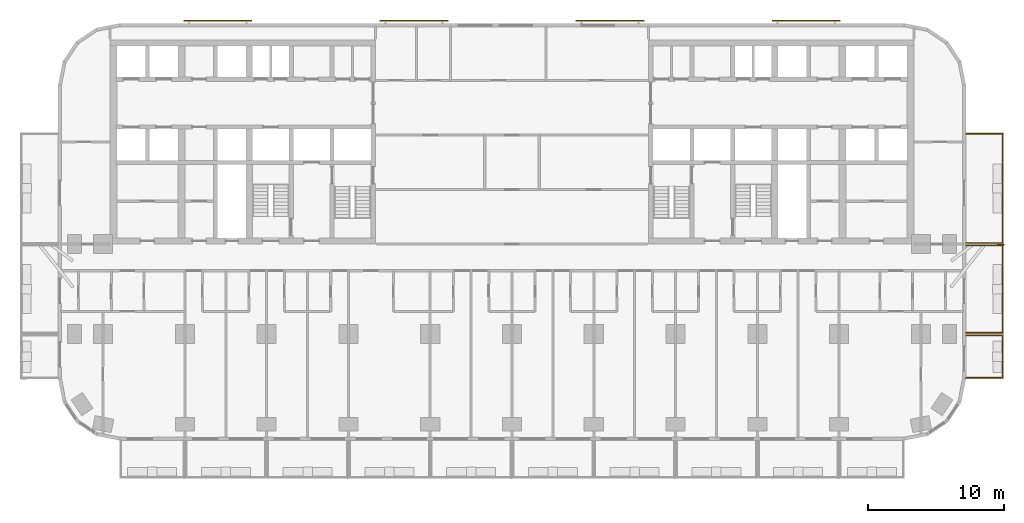
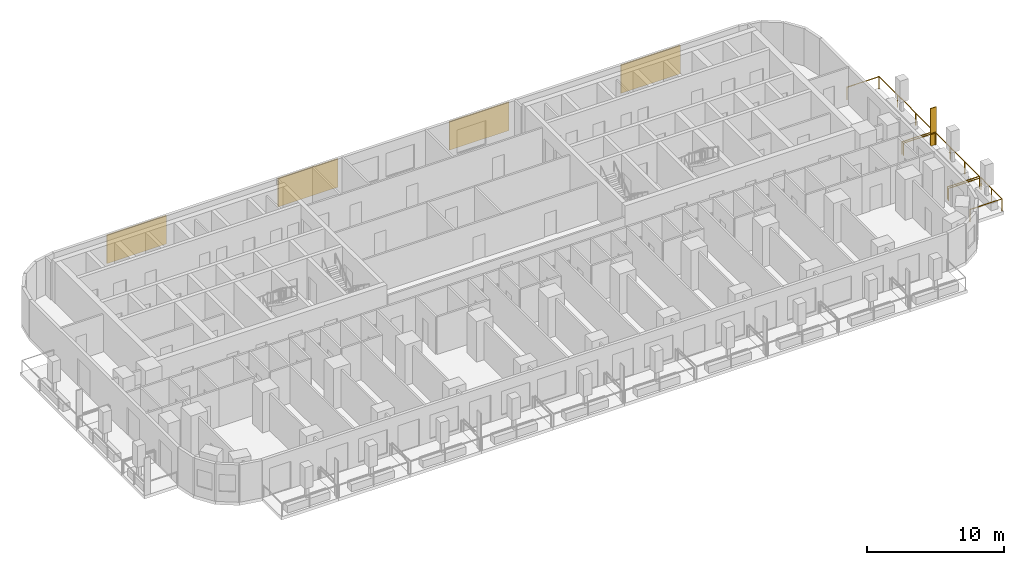
# One storey, part 14 of 15: 5 shading devices, 3 railings.
"""IFC4 building model written with IfcOpenShell, lengths in metres."""

from ifc_helpers import new_model, si_unit, direction, frame, origin, origin_2d, place, context, subcontext, project, spatial, rectangle, circle, extrude, material, layer, layer_set, type_object, element, save


model = new_model("IFC4")

# Units and contexts
model_context = context("Model", 3, precision=1e-05, world=origin(), true_north=direction((0.0, 1.0)))
body_context = subcontext(model_context, "Body", "Model", "MODEL_VIEW")
ifc_project = project(units=[si_unit("LENGTHUNIT", "METRE"), si_unit("AREAUNIT", "SQUARE_METRE"), si_unit("VOLUMEUNIT", "CUBIC_METRE"), si_unit("PLANEANGLEUNIT", "RADIAN"), si_unit("MASSUNIT", "GRAM", prefix="KILO")], contexts=[model_context])

# Site, building, storey
site_placement = place(None, origin())
site = spatial("IfcSite", under=ifc_project, at=site_placement, CompositionType="ELEMENT")
building_placement = place(site_placement, origin())
building = spatial("IfcBuilding", under=site, at=building_placement, Name="Torana Hotel and Residences", CompositionType="ELEMENT")
storey_placement = place(building_placement, frame((0.0, 0.0, 24.0)))
storey = spatial("IfcBuildingStorey", under=building, at=storey_placement, Name="L04", CompositionType="ELEMENT", Elevation=24.0)

# Shading device
ifc_material_1 = material(Name="Black powder coated aluminium", Category="aluminium")
ifc_layer_1 = layer(ifc_material_1, 0.080078125)
ifc_layer_set_1 = layer_set([ifc_layer_1], Name="FN1 VERTICAL FIN 500x80")
shading_device_type_1 = type_object("IfcShadingDeviceType", Name="FN1 VERTICAL FIN 500x80", PredefinedType="USERDEFINED", material=ifc_layer_set_1)
shading_device_placement = place(storey_placement, frame((35.85009765625, -15.0400390625, 0.0), z_axis=(0.0, 0.0, 1.0), x_axis=(0.0, -1.0, 0.0)))
element("IfcShadingDevice", 1, at=shading_device_placement, inside=storey, type_object=shading_device_type_1, Name="Fin 15", ObjectType="FIN", PredefinedType="USERDEFINED", context=body_context, shape_type="SweptSolid", body=[
    extrude(rectangle(XDim=0.080078125, YDim=0.5, at=origin_2d()), origin(), (0.0, 0.0, 1.0), 3.320068359375),
])

# Railings
ifc_material_2 = material(Name="Laminated glass balustrade with black handrail", Category="glass")
railing_type = type_object("IfcRailingType", Name="GR1 BALCONY GUARD 1100 GLASS", PredefinedType="GUARDRAIL", material=ifc_material_2)
railing_1_placement = place(storey_placement, frame((33.300048828125, -21.699951171875, 0.0)))
element("IfcRailing", 2, at=railing_1_placement, inside=storey, type_object=railing_type, Name="Balcony guard 14", PredefinedType="GUARDRAIL", context=body_context, shape_type="SweptSolid", body=[
    extrude(circle(Radius=0.02392578125, at=origin_2d()), frame((0.0, 0.0, 1.076171875), z_axis=(1.0, 0.0, 0.0), x_axis=(0.0, 1.0, 0.0)), (0.0, 0.0, 1.0), 2.699951171875),
    extrude(circle(Radius=0.02392578125, at=origin_2d()), frame((2.699951171875, 0.0, 1.076171875), z_axis=(0.0, -1.0, 0.0), x_axis=(1.0, 0.0, 0.0)), (0.0, 0.0, 1.0), 3.10009765625),
    extrude(circle(Radius=0.02392578125, at=origin_2d()), frame((2.699951171875, -3.10009765625, 1.076171875), z_axis=(-1.0, 0.0, 0.0), x_axis=(0.0, -1.0, 0.0)), (0.0, 0.0, 1.0), 2.699951171875),
    extrude(circle(Radius=0.02099609375, at=origin_2d()), origin(), (0.0, 0.0, 1.0), 1.052001953125),
    extrude(circle(Radius=0.02099609375, at=origin_2d()), frame((2.699951171875, 0.0, 0.0)), (0.0, 0.0, 1.0), 1.052001953125),
    extrude(circle(Radius=0.02099609375, at=origin_2d()), frame((2.699951171875, -1.550048828125, 0.0)), (0.0, 0.0, 1.0), 1.052001953125),
    extrude(circle(Radius=0.02099609375, at=origin_2d()), frame((2.699951171875, -3.10009765625, 0.0)), (0.0, 0.0, 1.0), 1.052001953125),
    extrude(circle(Radius=0.02099609375, at=origin_2d()), frame((0.0, -3.10009765625, 0.0)), (0.0, 0.0, 1.0), 1.052001953125),
])
railing_2_placement = place(storey_placement, frame((33.300048828125, -15.10009765625, 0.0)))
element("IfcRailing", 3, at=railing_2_placement, inside=storey, type_object=railing_type, Name="Balcony guard 15", PredefinedType="GUARDRAIL", context=body_context, shape_type="SweptSolid", body=[
    extrude(circle(Radius=0.02392578125, at=origin_2d()), frame((0.0, 0.0, 1.076171875), z_axis=(1.0, 0.0, 0.0), x_axis=(0.0, 1.0, 0.0)), (0.0, 0.0, 1.0), 2.699951171875),
    extrude(circle(Radius=0.02392578125, at=origin_2d()), frame((2.699951171875, 0.0, 1.076171875), z_axis=(0.0, -1.0, 0.0), x_axis=(1.0, 0.0, 0.0)), (0.0, 0.0, 1.0), 6.39990234375),
    extrude(circle(Radius=0.02392578125, at=origin_2d()), frame((2.699951171875, -6.39990234375, 1.076171875), z_axis=(-1.0, 0.0, 0.0), x_axis=(0.0, -1.0, 0.0)), (0.0, 0.0, 1.0), 2.699951171875),
    extrude(circle(Radius=0.02099609375, at=origin_2d()), origin(), (0.0, 0.0, 1.0), 1.052001953125),
    extrude(circle(Radius=0.02099609375, at=origin_2d()), frame((2.699951171875, 0.0, 0.0)), (0.0, 0.0, 1.0), 1.052001953125),
    extrude(circle(Radius=0.02099609375, at=origin_2d()), frame((2.699951171875, -2.13330078125, 0.0)), (0.0, 0.0, 1.0), 1.052001953125),
    extrude(circle(Radius=0.02099609375, at=origin_2d()), frame((2.699951171875, -4.2666015625, 0.0)), (0.0, 0.0, 1.0), 1.052001953125),
    extrude(circle(Radius=0.02099609375, at=origin_2d()), frame((2.699951171875, -6.39990234375, 0.0)), (0.0, 0.0, 1.0), 1.052001953125),
    extrude(circle(Radius=0.02099609375, at=origin_2d()), frame((0.0, -6.39990234375, 0.0)), (0.0, 0.0, 1.0), 1.052001953125),
])
railing_3_placement = place(storey_placement, frame((33.300048828125, -6.89990234375, 0.0)))
element("IfcRailing", 4, at=railing_3_placement, inside=storey, type_object=railing_type, Name="Balcony guard 16", PredefinedType="GUARDRAIL", context=body_context, shape_type="SweptSolid", body=[
    extrude(circle(Radius=0.02392578125, at=origin_2d()), frame((0.0, 0.0, 1.076171875), z_axis=(1.0, 0.0, 0.0), x_axis=(0.0, 1.0, 0.0)), (0.0, 0.0, 1.0), 2.699951171875),
    extrude(circle(Radius=0.02392578125, at=origin_2d()), frame((2.699951171875, 0.0, 1.076171875), z_axis=(0.0, -1.0, 0.0), x_axis=(1.0, 0.0, 0.0)), (0.0, 0.0, 1.0), 8.0),
    extrude(circle(Radius=0.02392578125, at=origin_2d()), frame((2.699951171875, -8.0, 1.076171875), z_axis=(-1.0, 0.0, 0.0), x_axis=(0.0, -1.0, 0.0)), (0.0, 0.0, 1.0), 2.699951171875),
    extrude(circle(Radius=0.02099609375, at=origin_2d()), origin(), (0.0, 0.0, 1.0), 1.052001953125),
    extrude(circle(Radius=0.02099609375, at=origin_2d()), frame((2.699951171875, 0.0, 0.0)), (0.0, 0.0, 1.0), 1.052001953125),
    extrude(circle(Radius=0.02099609375, at=origin_2d()), frame((2.699951171875, -2.666748046875, 0.0)), (0.0, 0.0, 1.0), 1.052001953125),
    extrude(circle(Radius=0.02099609375, at=origin_2d()), frame((2.699951171875, -5.333251953125, 0.0)), (0.0, 0.0, 1.0), 1.052001953125),
    extrude(circle(Radius=0.02099609375, at=origin_2d()), frame((2.699951171875, -8.0, 0.0)), (0.0, 0.0, 1.0), 1.052001953125),
    extrude(circle(Radius=0.02099609375, at=origin_2d()), frame((0.0, -8.0, 0.0)), (0.0, 0.0, 1.0), 1.052001953125),
])

# Shading devices
ifc_material_3 = material(Name="Concrete C40/50 precast", Category="concrete")
ifc_layer_2 = layer(ifc_material_3, 0.10009765625)
ifc_layer_set_2 = layer_set([ifc_layer_2], Name="SC1 PERFORATED BLOCK SCREEN PANEL 100")
shading_device_type_2 = type_object("IfcShadingDeviceType", Name="SC1 PERFORATED BLOCK SCREEN PANEL 100", PredefinedType="USERDEFINED", material=ifc_layer_set_2)
for number, where, z_axis, x_axis, name in (
    (5, (21.58154296875, 1.39990234375, 0.5), (0.0, 0.0, 1.0), (-1.0, 0.0, 0.0), "Perforated block screen L04"),
    (6, (7.19384765625, 1.39990234375, 0.5), (0.0, 0.0, 1.0), (-1.0, 0.0, 0.0), "Perforated block screen L04"),
    (7, (-7.19384765625, 1.39990234375, 0.5), (0.0, 0.0, 1.0), (-1.0, 0.0, 0.0), "Perforated block screen L04"),
    (8, (-21.58154296875, 1.39990234375, 0.5), (0.0, 0.0, 1.0), (-1.0, 0.0, 0.0), "Perforated block screen L04"),
):
    element("IfcShadingDevice", number, at=place(storey_placement, frame(where, z_axis=z_axis, x_axis=x_axis)), inside=storey, type_object=shading_device_type_2, Name=name, ObjectType="SCREEN", PredefinedType="USERDEFINED", context=body_context, shape_type="SweptSolid", body=[
        extrude(rectangle(XDim=5.0, YDim=0.10009765625, at=origin_2d()), origin(), (0.0, 0.0, 1.0), 2.52001953125),
    ])

save(model, "model.ifc")
